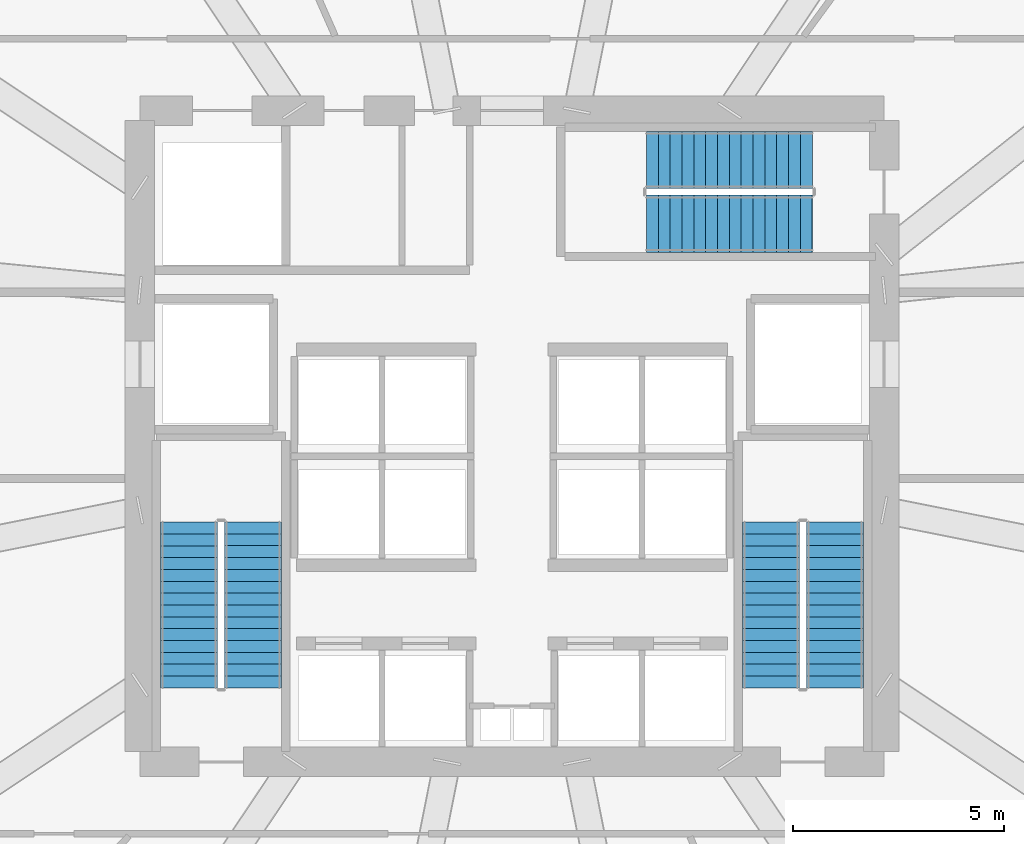
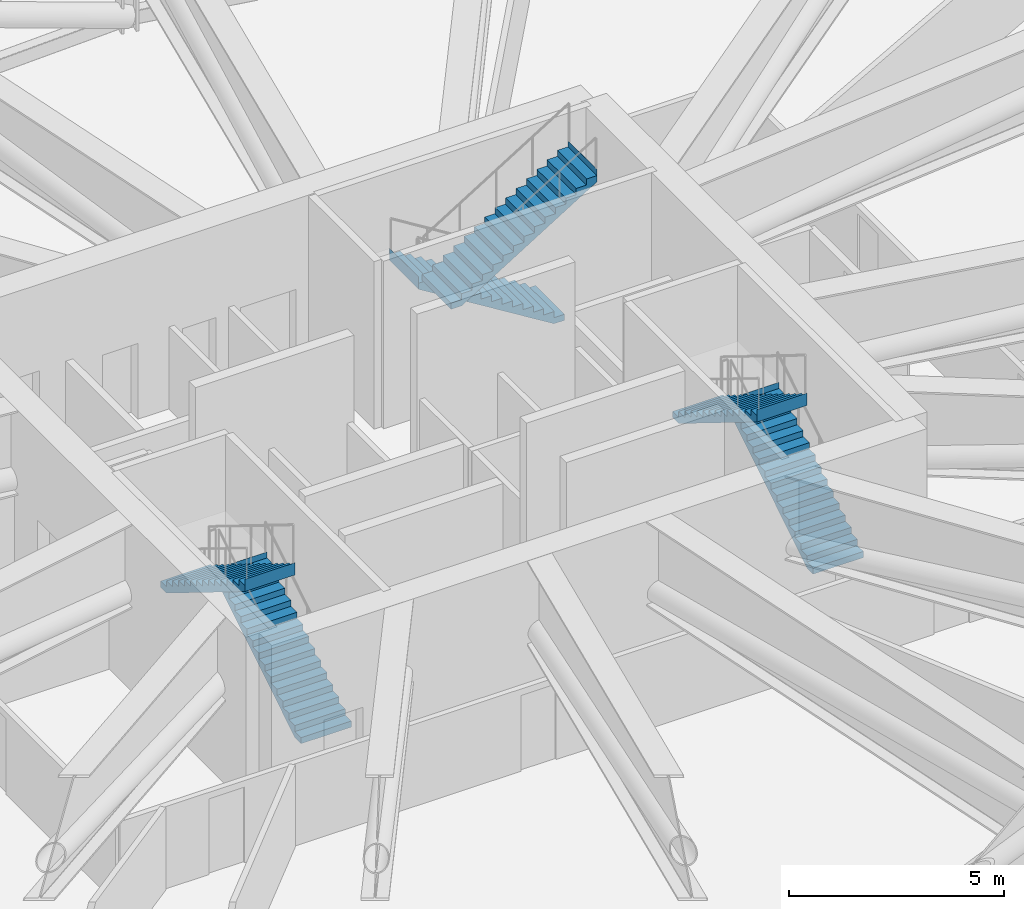
# One storey, part 32 of 33: 6 stair flights, 3 elements without a shape of their own.
"""IFC4 building model written with IfcOpenShell, lengths in metres."""

from ifc_helpers import new_model, si_unit, direction, frame, origin, place, context, subcontext, project, spatial, polyline, outline, extrude, material, type_object, element, aggregate, save


model = new_model("IFC4")

# Units and contexts
model_context = context("Model", 3, precision=1e-05, world=origin(), true_north=direction((0.0, 1.0)))
body_context = subcontext(model_context, "Body", "Model", "MODEL_VIEW")
ifc_project = project(units=[si_unit("LENGTHUNIT", "METRE"), si_unit("AREAUNIT", "SQUARE_METRE"), si_unit("VOLUMEUNIT", "CUBIC_METRE"), si_unit("PLANEANGLEUNIT", "RADIAN"), si_unit("MASSUNIT", "GRAM", prefix="KILO"), si_unit("THERMODYNAMICTEMPERATUREUNIT", "KELVIN")], contexts=[model_context])

# Site, building, storey
site_placement = place(None, origin())
site = spatial("IfcSite", under=ifc_project, at=site_placement, CompositionType="ELEMENT")
building_placement = place(site_placement, origin())
building = spatial("IfcBuilding", under=site, at=building_placement, Name="Kethvar Cultural Tower", CompositionType="ELEMENT")
storey_placement = place(building_placement, frame((0.0, 0.0, 80.39990234375)))
storey = spatial("IfcBuildingStorey", under=building, at=storey_placement, Name="L19", CompositionType="ELEMENT", Elevation=80.39990234375)

# Stair, stair flights
ifc_material = material(Name="Concrete C40/50", Category="concrete")
stair_type = type_object("IfcStairType", Name="ST-DOGLEG-135", PredefinedType="HALF_TURN_STAIR", material=ifc_material)
stair_1_placement = place(storey_placement, origin())
stair_1 = element("IfcStair", 1, at=stair_1_placement, inside=storey, type_object=stair_type, Name="L19 Core Exit Stair 1", PredefinedType="HALF_TURN_STAIR")
stair_flight_type = type_object("IfcStairFlightType", Name="FL-STRAIGHT-135", PredefinedType="STRAIGHT", material=ifc_material)
stair_flight_1_placement = place(storey_placement, frame((40.675048828125, 21.85009765625, 0.0), z_axis=(0.0, 0.0, 1.0), x_axis=(0.0, 1.0, 0.0)))
stair_flight_1 = element("IfcStairFlight", 2, at=stair_flight_1_placement, type_object=stair_flight_type, Name="ST-01 flight 1", NumberOfRisers=15, NumberOfTreads=14, PredefinedType="STRAIGHT", RiserHeight=0.173333333, TreadLength=0.28, context=body_context, shape_type="SweptSolid", body=[
    extrude(outline(polyline([(-0.0009765625, -0.0009765625), (-0.0009765625, 0.17333984375), (0.280029296875, 0.17333984375), (0.280029296875, 0.3466796875), (0.56005859375, 0.3466796875), (0.56005859375, 0.52001953125), (0.840087890625, 0.52001953125), (0.840087890625, 0.693359375), (1.1201171875, 0.693359375), (1.1201171875, 0.86669921875), (1.39990234375, 0.86669921875), (1.39990234375, 1.0400390625), (1.679931640625, 1.0400390625), (1.679931640625, 1.21337890625), (1.9599609375, 1.21337890625), (1.9599609375, 1.38671875), (2.239990234375, 1.38671875), (2.239990234375, 1.56005859375), (2.52001953125, 1.56005859375), (2.52001953125, 1.7333984375), (2.800048828125, 1.7333984375), (2.800048828125, 1.90673828125), (3.080078125, 1.90673828125), (3.080078125, 2.080078125), (3.360107421875, 2.080078125), (3.360107421875, 2.25341796875), (3.639892578125, 2.25341796875), (3.639892578125, 2.4267578125), (3.919921875, 2.4267578125), (3.919921875, 2.60009765625), (3.9208984375, 2.60009765625), (3.9208984375, 2.250244140625), (0.284912109375, 0.0), (0.0, -0.0009765625), (-0.0009765625, -0.0009765625)])), frame((0.0, 0.675048828125, 0.0), z_axis=(0.0, -1.0, 0.0), x_axis=(1.0, 0.0, 0.0)), (0.0, 0.0, 1.0), 1.35009765625),
])
stair_flight_2_placement = place(storey_placement, frame((39.1650390625, 25.77001953125, 2.60009765625), z_axis=(0.0, 0.0, 1.0), x_axis=(0.0, -1.0, 0.0)))
stair_flight_2 = element("IfcStairFlight", 3, at=stair_flight_2_placement, type_object=stair_flight_type, Name="ST-01 flight 2", NumberOfRisers=15, NumberOfTreads=14, PredefinedType="STRAIGHT", RiserHeight=0.173333333, TreadLength=0.28, context=body_context, shape_type="SweptSolid", body=[
    extrude(outline(polyline([(-0.0009765625, -0.0009765625), (-0.0009765625, 0.17333984375), (0.280029296875, 0.17333984375), (0.280029296875, 0.3466796875), (0.56005859375, 0.3466796875), (0.56005859375, 0.52001953125), (0.840087890625, 0.52001953125), (0.840087890625, 0.693359375), (1.1201171875, 0.693359375), (1.1201171875, 0.86669921875), (1.39990234375, 0.86669921875), (1.39990234375, 1.0400390625), (1.679931640625, 1.0400390625), (1.679931640625, 1.21337890625), (1.9599609375, 1.21337890625), (1.9599609375, 1.38671875), (2.239990234375, 1.38671875), (2.239990234375, 1.56005859375), (2.52001953125, 1.56005859375), (2.52001953125, 1.7333984375), (2.800048828125, 1.7333984375), (2.800048828125, 1.90673828125), (3.080078125, 1.90673828125), (3.080078125, 2.080078125), (3.360107421875, 2.080078125), (3.360107421875, 2.25341796875), (3.639892578125, 2.25341796875), (3.639892578125, 2.4267578125), (3.919921875, 2.4267578125), (3.919921875, 2.60009765625), (3.9208984375, 2.60009765625), (3.9208984375, 2.250244140625), (0.284912109375, 0.0), (0.0, -0.0009765625), (-0.0009765625, -0.0009765625)])), frame((0.0, 0.675048828125, 0.0), z_axis=(0.0, -1.0, 0.0), x_axis=(1.0, 0.0, 0.0)), (0.0, 0.0, 1.0), 1.35009765625),
])
aggregate(stair_1, [stair_flight_1, stair_flight_2])

stair_2_placement = place(storey_placement, origin())
stair_2 = element("IfcStair", 4, at=stair_2_placement, inside=storey, type_object=stair_type, Name="L19 Core Exit Stair 2", PredefinedType="HALF_TURN_STAIR")
stair_flight_3_placement = place(storey_placement, frame((54.43505859375, 21.85009765625, 0.0), z_axis=(0.0, 0.0, 1.0), x_axis=(0.0, 1.0, 0.0)))
stair_flight_3 = element("IfcStairFlight", 5, at=stair_flight_3_placement, type_object=stair_flight_type, Name="ST-02 flight 1", NumberOfRisers=15, NumberOfTreads=14, PredefinedType="STRAIGHT", RiserHeight=0.173333333, TreadLength=0.28, context=body_context, shape_type="SweptSolid", body=[
    extrude(outline(polyline([(-0.0009765625, -0.0009765625), (-0.0009765625, 0.17333984375), (0.280029296875, 0.17333984375), (0.280029296875, 0.3466796875), (0.56005859375, 0.3466796875), (0.56005859375, 0.52001953125), (0.840087890625, 0.52001953125), (0.840087890625, 0.693359375), (1.1201171875, 0.693359375), (1.1201171875, 0.86669921875), (1.39990234375, 0.86669921875), (1.39990234375, 1.0400390625), (1.679931640625, 1.0400390625), (1.679931640625, 1.21337890625), (1.9599609375, 1.21337890625), (1.9599609375, 1.38671875), (2.239990234375, 1.38671875), (2.239990234375, 1.56005859375), (2.52001953125, 1.56005859375), (2.52001953125, 1.7333984375), (2.800048828125, 1.7333984375), (2.800048828125, 1.90673828125), (3.080078125, 1.90673828125), (3.080078125, 2.080078125), (3.360107421875, 2.080078125), (3.360107421875, 2.25341796875), (3.639892578125, 2.25341796875), (3.639892578125, 2.4267578125), (3.919921875, 2.4267578125), (3.919921875, 2.60009765625), (3.9208984375, 2.60009765625), (3.9208984375, 2.250244140625), (0.284912109375, 0.0), (0.0, -0.0009765625), (-0.0009765625, -0.0009765625)])), frame((0.0, 0.675048828125, 0.0), z_axis=(0.0, -1.0, 0.0), x_axis=(1.0, 0.0, 0.0)), (0.0, 0.0, 1.0), 1.35009765625),
])
stair_flight_4_placement = place(storey_placement, frame((52.925048828125, 25.77001953125, 2.60009765625), z_axis=(0.0, 0.0, 1.0), x_axis=(0.0, -1.0, 0.0)))
stair_flight_4 = element("IfcStairFlight", 6, at=stair_flight_4_placement, type_object=stair_flight_type, Name="ST-02 flight 2", NumberOfRisers=15, NumberOfTreads=14, PredefinedType="STRAIGHT", RiserHeight=0.173333333, TreadLength=0.28, context=body_context, shape_type="SweptSolid", body=[
    extrude(outline(polyline([(-0.0009765625, -0.0009765625), (-0.0009765625, 0.17333984375), (0.280029296875, 0.17333984375), (0.280029296875, 0.3466796875), (0.56005859375, 0.3466796875), (0.56005859375, 0.52001953125), (0.840087890625, 0.52001953125), (0.840087890625, 0.693359375), (1.1201171875, 0.693359375), (1.1201171875, 0.86669921875), (1.39990234375, 0.86669921875), (1.39990234375, 1.0400390625), (1.679931640625, 1.0400390625), (1.679931640625, 1.21337890625), (1.9599609375, 1.21337890625), (1.9599609375, 1.38671875), (2.239990234375, 1.38671875), (2.239990234375, 1.56005859375), (2.52001953125, 1.56005859375), (2.52001953125, 1.7333984375), (2.800048828125, 1.7333984375), (2.800048828125, 1.90673828125), (3.080078125, 1.90673828125), (3.080078125, 2.080078125), (3.360107421875, 2.080078125), (3.360107421875, 2.25341796875), (3.639892578125, 2.25341796875), (3.639892578125, 2.4267578125), (3.919921875, 2.4267578125), (3.919921875, 2.60009765625), (3.9208984375, 2.60009765625), (3.9208984375, 2.250244140625), (0.284912109375, 0.0), (0.0, -0.0009765625), (-0.0009765625, -0.0009765625)])), frame((0.0, 0.675048828125, 0.0), z_axis=(0.0, -1.0, 0.0), x_axis=(1.0, 0.0, 0.0)), (0.0, 0.0, 1.0), 1.35009765625),
])
aggregate(stair_2, [stair_flight_3, stair_flight_4])

stair_3_placement = place(storey_placement, origin())
stair_3 = element("IfcStair", 7, at=stair_3_placement, inside=storey, type_object=stair_type, Name="L19 Core Exit Stair 3", PredefinedType="HALF_TURN_STAIR")
stair_flight_5_placement = place(storey_placement, frame((53.89990234375, 34.3349609375, 0.0), z_axis=(0.0, 0.0, 1.0), x_axis=(-1.0, 0.0, 0.0)))
stair_flight_5 = element("IfcStairFlight", 8, at=stair_flight_5_placement, type_object=stair_flight_type, Name="ST-03 flight 1", NumberOfRisers=15, NumberOfTreads=14, PredefinedType="STRAIGHT", RiserHeight=0.173333333, TreadLength=0.28, context=body_context, shape_type="SweptSolid", body=[
    extrude(outline(polyline([(-0.0009765625, -0.0009765625), (-0.0009765625, 0.17333984375), (0.280029296875, 0.17333984375), (0.280029296875, 0.3466796875), (0.56005859375, 0.3466796875), (0.56005859375, 0.52001953125), (0.840087890625, 0.52001953125), (0.840087890625, 0.693359375), (1.1201171875, 0.693359375), (1.1201171875, 0.86669921875), (1.39990234375, 0.86669921875), (1.39990234375, 1.0400390625), (1.679931640625, 1.0400390625), (1.679931640625, 1.21337890625), (1.9599609375, 1.21337890625), (1.9599609375, 1.38671875), (2.239990234375, 1.38671875), (2.239990234375, 1.56005859375), (2.52001953125, 1.56005859375), (2.52001953125, 1.7333984375), (2.800048828125, 1.7333984375), (2.800048828125, 1.90673828125), (3.080078125, 1.90673828125), (3.080078125, 2.080078125), (3.360107421875, 2.080078125), (3.360107421875, 2.25341796875), (3.639892578125, 2.25341796875), (3.639892578125, 2.4267578125), (3.919921875, 2.4267578125), (3.919921875, 2.60009765625), (3.9208984375, 2.60009765625), (3.9208984375, 2.250244140625), (0.284912109375, 0.0), (0.0, -0.0009765625), (-0.0009765625, -0.0009765625)])), frame((0.0, 0.675048828125, 0.0), z_axis=(0.0, -1.0, 0.0), x_axis=(1.0, 0.0, 0.0)), (0.0, 0.0, 1.0), 1.35009765625),
])
stair_flight_6_placement = place(storey_placement, frame((49.97998046875, 32.824951171875, 2.60009765625), z_axis=(0.0, 0.0, 1.0), x_axis=(1.0, 0.0, 0.0)))
stair_flight_6 = element("IfcStairFlight", 9, at=stair_flight_6_placement, type_object=stair_flight_type, Name="ST-03 flight 2", NumberOfRisers=15, NumberOfTreads=14, PredefinedType="STRAIGHT", RiserHeight=0.173333333, TreadLength=0.28, context=body_context, shape_type="SweptSolid", body=[
    extrude(outline(polyline([(-0.0009765625, -0.0009765625), (-0.0009765625, 0.17333984375), (0.280029296875, 0.17333984375), (0.280029296875, 0.3466796875), (0.56005859375, 0.3466796875), (0.56005859375, 0.52001953125), (0.840087890625, 0.52001953125), (0.840087890625, 0.693359375), (1.1201171875, 0.693359375), (1.1201171875, 0.86669921875), (1.39990234375, 0.86669921875), (1.39990234375, 1.0400390625), (1.679931640625, 1.0400390625), (1.679931640625, 1.21337890625), (1.9599609375, 1.21337890625), (1.9599609375, 1.38671875), (2.239990234375, 1.38671875), (2.239990234375, 1.56005859375), (2.52001953125, 1.56005859375), (2.52001953125, 1.7333984375), (2.800048828125, 1.7333984375), (2.800048828125, 1.90673828125), (3.080078125, 1.90673828125), (3.080078125, 2.080078125), (3.360107421875, 2.080078125), (3.360107421875, 2.25341796875), (3.639892578125, 2.25341796875), (3.639892578125, 2.4267578125), (3.919921875, 2.4267578125), (3.919921875, 2.60009765625), (3.9208984375, 2.60009765625), (3.9208984375, 2.250244140625), (0.284912109375, 0.0), (0.0, -0.0009765625), (-0.0009765625, -0.0009765625)])), frame((0.0, 0.675048828125, 0.0), z_axis=(0.0, -1.0, 0.0), x_axis=(1.0, 0.0, 0.0)), (0.0, 0.0, 1.0), 1.35009765625),
])
aggregate(stair_3, [stair_flight_5, stair_flight_6])

save(model, "model.ifc")
